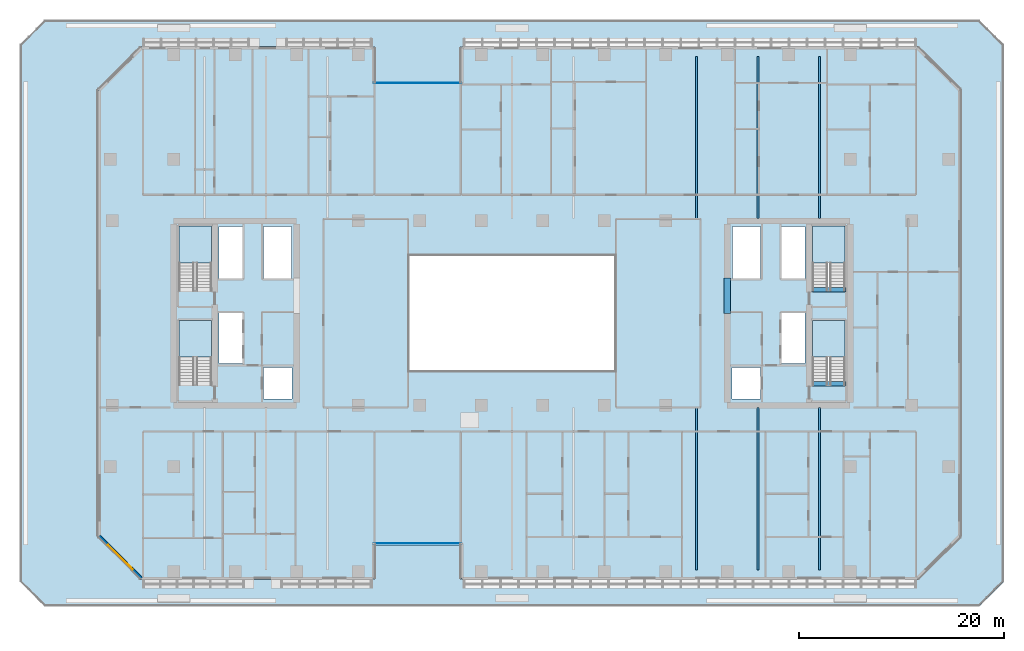
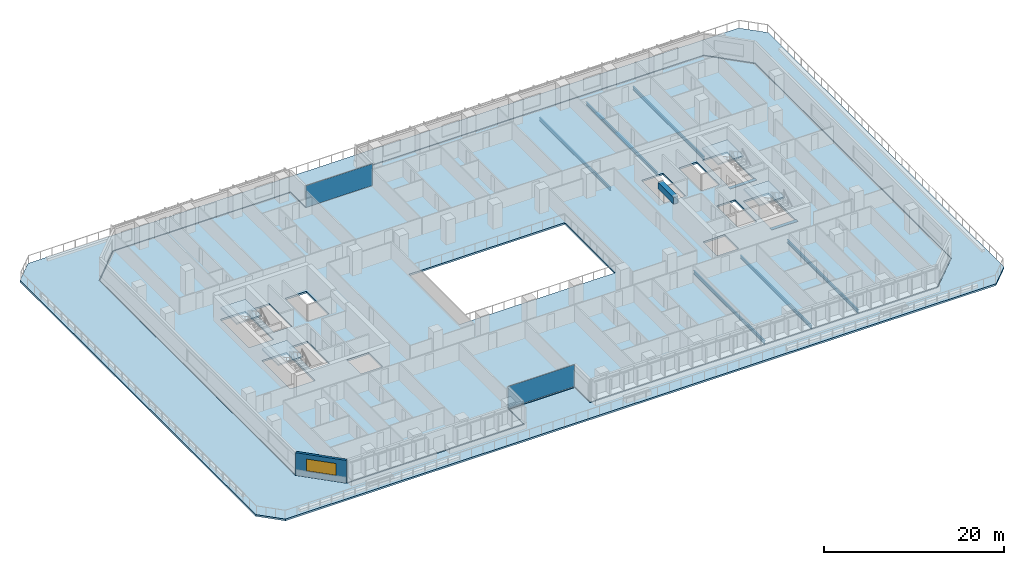
# One storey, part 5 of 23: 9 beams, 6 slabs, 2 plates, 1 wall, 1 window, 1 opening, 6 elements without a shape of their own.
"""IFC4 building model written with IfcOpenShell, lengths in metres."""

from ifc_helpers import new_model, si_unit, direction, frame, frame_2d, origin, origin_2d, place, context, subcontext, project, spatial, polyline, rectangle, i_section, outline, extrude, material, layer, layer_set, material_profile, profile_set, type_object, element, fill, aggregate, save


model = new_model("IFC4")

# Units and contexts
model_context = context("Model", 3, precision=1e-05, world=origin(), true_north=direction((0.0, 1.0)))
body_context = subcontext(model_context, "Body", "Model", "MODEL_VIEW")
ifc_project = project(units=[si_unit("LENGTHUNIT", "METRE"), si_unit("AREAUNIT", "SQUARE_METRE"), si_unit("VOLUMEUNIT", "CUBIC_METRE"), si_unit("PLANEANGLEUNIT", "RADIAN"), si_unit("MASSUNIT", "GRAM", prefix="KILO")], contexts=[model_context])

# Site, building, storey
site_placement = place(None, origin())
site = spatial("IfcSite", under=ifc_project, at=site_placement, CompositionType="ELEMENT")
building_placement = place(site_placement, origin())
building = spatial("IfcBuilding", under=site, at=building_placement, Name="Tanjung Sevakor Pilgrim Tower", CompositionType="ELEMENT")
storey_placement = place(building_placement, frame((0.0, 0.0, 29.0400390625)))
storey = spatial("IfcBuildingStorey", under=building, at=storey_placement, Name="L07", CompositionType="ELEMENT", Elevation=29.0400390625)

# Beams
ifc_material_1 = material(Name="Steel S355J2", Category="steel")
ifc_material_profile_1 = material_profile(ifc_material_1, i_section(OverallWidth=0.19140625, OverallDepth=0.4599609375, WebThickness=0.010009765625, FlangeThickness=0.01611328125, FilletRadius=0.01025390625, at=origin_2d()))
ifc_profile_set_1 = profile_set([ifc_material_profile_1], Name="Steel S355J2")
beam_type_1 = type_object("IfcBeamType", Name="BM-B-J2-UB_457x191x82", PredefinedType="JOIST", material=ifc_profile_set_1)
for number, where, z_axis, x_axis, name in (
    (1, (75.0, 8.551025390625, -0.469970703125), (0.0, 1.0, 0.0), (-1.0, 0.0, 0.0), "L07 Infill Joist 06.1"),
    (2, (75.0, 42.824951171875, -0.469970703125), (0.0, 1.0, 0.0), (-1.0, 0.0, 0.0), "L07 Infill Joist 06.2"),
    (3, (81.0, 8.551025390625, -0.469970703125), (0.0, 1.0, 0.0), (-1.0, 0.0, 0.0), "L07 Infill Joist 07.1"),
    (4, (81.0, 42.824951171875, -0.469970703125), (0.0, 1.0, 0.0), (-1.0, 0.0, 0.0), "L07 Infill Joist 07.2"),
    (5, (87.0, 8.551025390625, -0.469970703125), (0.0, 1.0, 0.0), (-1.0, 0.0, 0.0), "L07 Infill Joist 08.1"),
    (6, (87.0, 42.824951171875, -0.469970703125), (0.0, 1.0, 0.0), (-1.0, 0.0, 0.0), "L07 Infill Joist 08.2"),
):
    element("IfcBeam", number, at=place(storey_placement, frame(where, z_axis=z_axis, x_axis=x_axis)), inside=storey, type_object=beam_type_1, Name=name, PredefinedType="JOIST", context=body_context, shape_type="SweptSolid", body=[
        extrude(i_section(OverallWidth=0.19140625, OverallDepth=0.4599609375, WebThickness=0.010009765625, FlangeThickness=0.01611328125, FilletRadius=0.01025390625, at=origin_2d()), origin(), (0.0, 0.0, 1.0), 15.823974609375),
    ])
ifc_material_2 = material(Name="Concrete C60/75", Category="concrete")
ifc_material_profile_2 = material_profile(ifc_material_2, rectangle(XDim=0.60009765625, YDim=0.89990234375, at=origin_2d()))
ifc_profile_set_2 = profile_set([ifc_material_profile_2], Name="Concrete C60/75")
beam_type_2 = type_object("IfcBeamType", Name="BM-B-LN1-RC-BM_600x900", PredefinedType="LINTEL", material=ifc_profile_set_2)
beam_placement = place(storey_placement, frame((78.0, 33.550048828125, 2.6298828125), z_axis=(0.0, 1.0, 0.0), x_axis=(-1.0, 0.0, 0.0)))
element("IfcBeam", 7, at=beam_placement, inside=storey, type_object=beam_type_2, Name="L07 E Core Coupling Lintel", PredefinedType="LINTEL", context=body_context, shape_type="SweptSolid", body=[
    extrude(rectangle(XDim=0.60009765625, YDim=0.89990234375, at=origin_2d()), origin(), (0.0, 0.0, 1.0), 3.5),
])
ifc_material_3 = material(Name="Concrete C60/75", Category="concrete")
ifc_material_profile_3 = material_profile(ifc_material_3, rectangle(XDim=0.449951171875, YDim=0.699951171875, at=origin_2d()))
ifc_profile_set_3 = profile_set([ifc_material_profile_3], Name="Concrete C60/75")
beam_type_3 = type_object("IfcBeamType", Name="BM-B-LN3-RC-BM_450x700", PredefinedType="LINTEL", material=ifc_profile_set_3)
for number, where, z_axis, x_axis, name in (
    (8, (86.199951171875, 26.699951171875, -0.35009765625), (1.0, 0.0, 0.0), (0.0, 1.0, 0.0), "L07 TS-E1 Stair Threshold Beam"),
    (9, (86.199951171875, 35.89990234375, -0.35009765625), (1.0, 0.0, 0.0), (0.0, 1.0, 0.0), "L07 TS-E2 Stair Threshold Beam"),
):
    element("IfcBeam", number, at=place(storey_placement, frame(where, z_axis=z_axis, x_axis=x_axis)), inside=storey, type_object=beam_type_3, Name=name, PredefinedType="LINTEL", context=body_context, shape_type="SweptSolid", body=[
        extrude(rectangle(XDim=0.449951171875, YDim=0.699951171875, at=origin_2d()), origin(), (0.0, 0.0, 1.0), 3.400146484375),
    ])

# Slab
ifc_material_4 = material(Name="Concrete C40/50", Category="concrete")
ifc_layer_1 = layer(ifc_material_4, 0.239990234375)
ifc_layer_set_1 = layer_set([ifc_layer_1], Name="SL-L07-240")
slab_type_1 = type_object("IfcSlabType", Name="SL-L07-240", PredefinedType="FLOOR", material=ifc_layer_set_1)
slab_1_placement = place(storey_placement, frame((0.0, 0.0, -0.239990234375)))
element("IfcSlab", 10, at=slab_1_placement, inside=storey, type_object=slab_type_1, Name="L07 Floor Slab MAIN", PredefinedType="FLOOR", context=body_context, shape_type="SweptSolid", body=[
    extrude(outline(polyline([(20.846923828125, 7.679931640625), (43.52001953125, 7.679931640625), (43.52001953125, 11.080078125), (52.080078125, 11.080078125), (52.080078125, 7.679931640625), (96.552978515625, 7.679931640625), (100.719970703125, 11.846923828125), (100.719970703125, 55.35302734375), (96.552978515625, 59.52001953125), (52.080078125, 59.52001953125), (52.080078125, 56.1201171875), (43.52001953125, 56.1201171875), (43.52001953125, 59.52001953125), (20.846923828125, 59.52001953125), (16.679931640625, 55.35302734375), (16.679931640625, 11.846923828125), (20.846923828125, 7.679931640625)]), holes=[polyline([(27.699951171875, 26.60009765625), (27.699951171875, 32.89990234375), (24.5, 32.89990234375), (24.5, 26.60009765625), (27.699951171875, 26.60009765625)]), polyline([(27.699951171875, 35.800048828125), (27.699951171875, 42.10009765625), (24.5, 42.10009765625), (24.5, 35.800048828125), (27.699951171875, 35.800048828125)]), polyline([(89.5, 26.60009765625), (89.5, 32.89990234375), (86.300048828125, 32.89990234375), (86.300048828125, 26.60009765625), (89.5, 26.60009765625)]), polyline([(89.5, 35.800048828125), (89.5, 42.10009765625), (86.300048828125, 42.10009765625), (86.300048828125, 35.800048828125), (89.5, 35.800048828125)]), polyline([(32.75, 25.199951171875), (35.550048828125, 25.199951171875), (35.550048828125, 28.300048828125), (32.75, 28.300048828125), (32.75, 25.199951171875)]), polyline([(28.39990234375, 28.699951171875), (30.75, 28.699951171875), (30.75, 33.60009765625), (28.39990234375, 33.60009765625), (28.39990234375, 28.699951171875)]), polyline([(28.39990234375, 37.0), (30.75, 37.0), (30.75, 42.050048828125), (28.39990234375, 42.050048828125), (28.39990234375, 37.0)]), polyline([(32.75, 37.0), (35.5, 37.0), (35.5, 42.050048828125), (32.75, 42.050048828125), (32.75, 37.0)]), polyline([(78.449951171875, 25.199951171875), (81.25, 25.199951171875), (81.25, 28.300048828125), (78.449951171875, 28.300048828125), (78.449951171875, 25.199951171875)]), polyline([(83.25, 28.699951171875), (85.60009765625, 28.699951171875), (85.60009765625, 33.60009765625), (83.25, 33.60009765625), (83.25, 28.699951171875)]), polyline([(83.25, 37.0), (85.60009765625, 37.0), (85.60009765625, 42.050048828125), (83.25, 42.050048828125), (83.25, 37.0)]), polyline([(78.5, 37.0), (81.25, 37.0), (81.25, 42.050048828125), (78.5, 42.050048828125), (78.5, 37.0)]), polyline([(47.0, 28.0), (67.0, 28.0), (67.0, 39.199951171875), (47.0, 39.199951171875), (47.0, 28.0)])]), origin(), (0.0, 0.0, 1.0), 0.239990234375),
])

# Stair, slab
ifc_material_5 = material(Name="Concrete C40/50", Category="concrete")
stair_type = type_object("IfcStairType", Name="STAIR-ST-CR150", PredefinedType="HALF_TURN_STAIR", material=ifc_material_5)
stair_1_placement = place(storey_placement, origin())
stair_1 = element("IfcStair", 11, at=stair_1_placement, inside=storey, type_object=stair_type, Name="L07 West Core Exit Stair 1", PredefinedType="HALF_TURN_STAIR")
ifc_material_6 = material(Name="Concrete C40/50", Category="concrete")
ifc_layer_2 = layer(ifc_material_6, 0.199951171875)
ifc_layer_set_2 = layer_set([ifc_layer_2], Name="SL-LAND-200")
slab_type_2 = type_object("IfcSlabType", Name="SL-LAND-200", PredefinedType="LANDING", material=ifc_layer_set_2)
slab_2_placement = place(storey_placement, frame((0.0, 0.0, 1.449951171875)))
slab_2 = element("IfcSlab", 12, at=slab_2_placement, type_object=slab_type_2, Name="TS-W1 landing 1", PredefinedType="LANDING", context=body_context, shape_type="SweptSolid", body=[
    extrude(outline(polyline([(27.699951171875, 29.300048828125), (27.699951171875, 32.89990234375), (24.5, 32.89990234375), (24.5, 29.300048828125), (27.699951171875, 29.300048828125)])), origin(), (0.0, 0.0, 1.0), 0.199951171875),
])
aggregate(stair_1, [slab_2])

stair_2_placement = place(storey_placement, origin())
stair_2 = element("IfcStair", 13, at=stair_2_placement, inside=storey, type_object=stair_type, Name="L07 West Core Exit Stair 2", PredefinedType="HALF_TURN_STAIR")
slab_3_placement = place(storey_placement, frame((0.0, 0.0, 1.449951171875)))
slab_3 = element("IfcSlab", 14, at=slab_3_placement, type_object=slab_type_2, Name="TS-W2 landing 1", PredefinedType="LANDING", context=body_context, shape_type="SweptSolid", body=[
    extrude(outline(polyline([(27.699951171875, 38.5), (27.699951171875, 42.10009765625), (24.5, 42.10009765625), (24.5, 38.5), (27.699951171875, 38.5)])), origin(), (0.0, 0.0, 1.0), 0.199951171875),
])
aggregate(stair_2, [slab_3])

stair_3_placement = place(storey_placement, origin())
stair_3 = element("IfcStair", 15, at=stair_3_placement, inside=storey, type_object=stair_type, Name="L07 East Core Exit Stair 1", PredefinedType="HALF_TURN_STAIR")
slab_4_placement = place(storey_placement, frame((0.0, 0.0, 1.449951171875)))
slab_4 = element("IfcSlab", 16, at=slab_4_placement, type_object=slab_type_2, Name="TS-E1 landing 1", PredefinedType="LANDING", context=body_context, shape_type="SweptSolid", body=[
    extrude(outline(polyline([(89.5, 29.300048828125), (89.5, 32.89990234375), (86.300048828125, 32.89990234375), (86.300048828125, 29.300048828125), (89.5, 29.300048828125)])), origin(), (0.0, 0.0, 1.0), 0.199951171875),
])
aggregate(stair_3, [slab_4])

stair_4_placement = place(storey_placement, origin())
stair_4 = element("IfcStair", 17, at=stair_4_placement, inside=storey, type_object=stair_type, Name="L07 East Core Exit Stair 2", PredefinedType="HALF_TURN_STAIR")
slab_5_placement = place(storey_placement, frame((0.0, 0.0, 1.449951171875)))
slab_5 = element("IfcSlab", 18, at=slab_5_placement, type_object=slab_type_2, Name="TS-E2 landing 1", PredefinedType="LANDING", context=body_context, shape_type="SweptSolid", body=[
    extrude(outline(polyline([(89.5, 38.5), (89.5, 42.10009765625), (86.300048828125, 42.10009765625), (86.300048828125, 38.5), (89.5, 38.5)])), origin(), (0.0, 0.0, 1.0), 0.199951171875),
])
aggregate(stair_4, [slab_5])

# Slab
ifc_material_7 = material(Name="Concrete C40/50", Category="concrete")
ifc_layer_3 = layer(ifc_material_7, 0.239990234375)
ifc_layer_set_3 = layer_set([ifc_layer_3], Name="SL-TER-240")
slab_type_3 = type_object("IfcSlabType", Name="SL-TER-240", PredefinedType="FLOOR", material=ifc_layer_set_3)
slab_6_placement = place(storey_placement, frame((0.0, 0.0, -0.239990234375)))
element("IfcSlab", 19, at=slab_6_placement, inside=storey, type_object=slab_type_3, Name="L07 Cascade Garden Terrace Ring", PredefinedType="FLOOR", context=body_context, shape_type="SweptSolid", body=[
    extrude(outline(polyline([(11.39990234375, 5.0), (102.60009765625, 5.0), (105.0, 7.39990234375), (105.0, 59.800048828125), (102.60009765625, 62.199951171875), (11.39990234375, 62.199951171875), (9.0, 59.800048828125), (9.0, 7.39990234375), (11.39990234375, 5.0)]), holes=[polyline([(20.800048828125, 7.60009765625), (43.60009765625, 7.60009765625), (43.60009765625, 11.0), (52.0, 11.0), (52.0, 7.60009765625), (96.60009765625, 7.60009765625), (100.800048828125, 11.800048828125), (100.800048828125, 55.39990234375), (96.60009765625, 59.60009765625), (52.0, 59.60009765625), (52.0, 56.199951171875), (43.60009765625, 56.199951171875), (43.60009765625, 59.60009765625), (20.800048828125, 59.60009765625), (16.60009765625, 55.39990234375), (16.60009765625, 11.800048828125), (20.800048828125, 7.60009765625)])]), origin(), (0.0, 0.0, 1.0), 0.239990234375),
])

# Curtain wall, plate
ifc_material_8 = material(Name="Aluminium 6063-T6 and Low-E Glass", Category="aluminium")
ifc_layer_4 = layer(ifc_material_8, 0.179931640625)
ifc_layer_set_4 = layer_set([ifc_layer_4], Name="CW-SYS-CLEFT")
curtain_wall_type = type_object("IfcCurtainWallType", Name="CW-SYS-CLEFT", PredefinedType="NOTDEFINED", material=ifc_layer_set_4)
curtain_wall_1_placement = place(storey_placement, origin())
curtain_wall_1 = element("IfcCurtainWall", 20, at=curtain_wall_1_placement, inside=storey, type_object=curtain_wall_type, Name="L07 Curtain Wall CW-CLF-L07-2", PredefinedType="NOTDEFINED")
ifc_material_9 = material(Name="Laminated Low-E Double Glazing", Category="glass")
ifc_layer_5 = layer(ifc_material_9, 0.028076171875)
ifc_layer_set_5 = layer_set([ifc_layer_5], Name="TYPE-CWP-GLZ1")
plate_type = type_object("IfcPlateType", Name="TYPE-CWP-GLZ1", PredefinedType="CURTAIN_PANEL", material=ifc_layer_set_5)
plate_1_placement = place(storey_placement, frame((47.800048828125, 11.139892578125, 0.06494140625), z_axis=(0.0, 0.0, 1.0), x_axis=(1.0, 0.0, 0.0)))
plate_1 = element("IfcPlate", 21, at=plate_1_placement, type_object=plate_type, Name="CW-CLF panel 1.1", PredefinedType="CURTAIN_PANEL", context=body_context, shape_type="SweptSolid", body=[
    extrude(rectangle(XDim=8.530029296875, YDim=0.028076171875, at=origin_2d()), origin(), (0.0, 0.0, 1.0), 2.949951171875),
])
aggregate(curtain_wall_1, [plate_1])

curtain_wall_2_placement = place(storey_placement, origin())
curtain_wall_2 = element("IfcCurtainWall", 22, at=curtain_wall_2_placement, inside=storey, type_object=curtain_wall_type, Name="L07 Curtain Wall CW-CLF-L07-10", PredefinedType="NOTDEFINED")
plate_2_placement = place(storey_placement, frame((47.800048828125, 56.06005859375, 0.06494140625), z_axis=(0.0, 0.0, 1.0), x_axis=(-1.0, 0.0, 0.0)))
plate_2 = element("IfcPlate", 23, at=plate_2_placement, type_object=plate_type, Name="CW-CLF panel 1.1", PredefinedType="CURTAIN_PANEL", context=body_context, shape_type="SweptSolid", body=[
    extrude(rectangle(XDim=8.530029296875, YDim=0.028076171875, at=origin_2d()), origin(), (0.0, 0.0, 1.0), 2.949951171875),
])
aggregate(curtain_wall_2, [plate_2])

# Wall, opening, window
ifc_material_10 = material(Name="Precast concrete C45/55", Category="concrete")
ifc_layer_6 = layer(ifc_material_10, 0.280029296875)
ifc_layer_set_6 = layer_set([ifc_layer_6], Name="WT-EW-STN2")
wall_type = type_object("IfcWallType", Name="WT-EW-STN2", PredefinedType="SOLIDWALL", material=ifc_layer_set_6)
wall_placement = place(storey_placement, frame((16.739990234375, 11.85791015625, 0.0), z_axis=(0.0, 0.0, 1.0), x_axis=(0.707106781187, -0.707106781187, 0.0)))
wall = element("IfcWall", 24, at=wall_placement, inside=storey, type_object=wall_type, Name="L07 MAIN Sculpted Corner Wall 15", PredefinedType="SOLIDWALL", context=body_context, shape_type="SweptSolid", body=[
    extrude(rectangle(XDim=5.82373046875, YDim=0.280029296875, at=frame_2d((2.911865234375, 0.0))), origin(), (0.0, 0.0, 1.0), 3.080078125),
])
opening_placement = place(wall_placement, frame((1.2119140625, 0.0, 0.780029296875)))
opening = element("IfcOpeningElement", 25, at=opening_placement, cuts=wall, Name="Opening WN-CHM-1660", PredefinedType="OPENING", context=body_context, shape_type="SweptSolid", body=[
    extrude(rectangle(XDim=3.39990234375, YDim=1.659912109375, at=frame_2d((1.699951171875, 0.830078125))), frame((0.0, 0.14990234375, 0.0), z_axis=(0.0, -1.0, 0.0), x_axis=(1.0, 0.0, 0.0)), (0.0, 0.0, 1.0), 0.300048828125),
])
ifc_material_11 = material(Name="Thermally Broken Aluminium and Low-E Glass", Category="aluminium")
window_type = type_object("IfcWindowType", Name="WTYP-WN-CHM-1660", PartitioningType="DOUBLE_PANEL_VERTICAL", PredefinedType="WINDOW", material=ifc_material_11)
window_placement = place(opening_placement, origin())
window = element("IfcWindow", 26, at=window_placement, inside=storey, type_object=window_type, Name="L07 Facade Window 01", OverallHeight=1.659912109375, OverallWidth=3.39990234375, PartitioningType="SINGLE_PANEL", PredefinedType="WINDOW", context=body_context, shape_type="SweptSolid", body=[
    extrude(rectangle(XDim=3.39990234375, YDim=1.659912109375, at=frame_2d((1.699951171875, 0.830078125))), frame((0.0, 0.030029296875, 0.0), z_axis=(0.0, -1.0, 0.0), x_axis=(1.0, 0.0, 0.0)), (0.0, 0.0, 1.0), 0.06005859375),
])
fill(opening, window)

save(model, "model.ifc")
